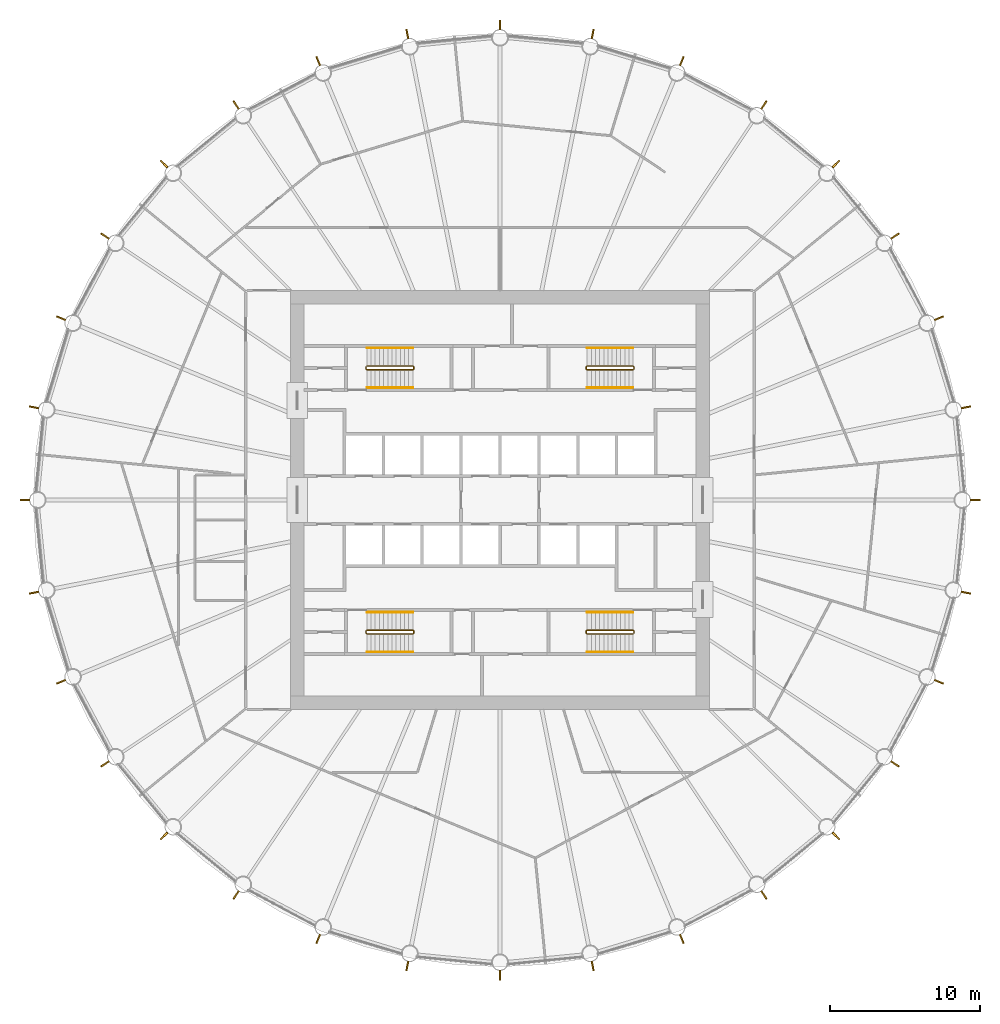
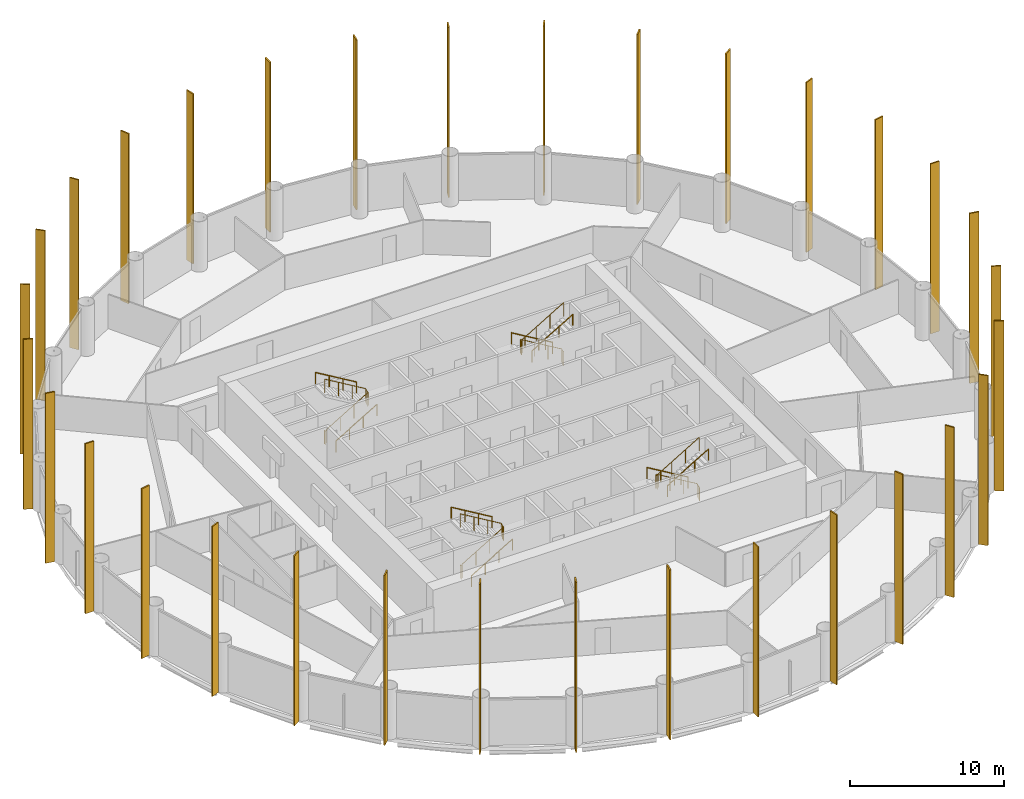
# One storey, part 9 of 9: 32 shading devices, 12 railings.
"""IFC4 building model written with IfcOpenShell, lengths in metres."""

from ifc_helpers import new_model, si_unit, direction, frame, origin, origin_2d, place, context, subcontext, project, spatial, rectangle, circle, extrude, material, material_profile, profile_set, type_object, element, save


model = new_model("IFC4")

# Units and contexts
model_context = context("Model", 3, precision=1e-05, world=origin(), true_north=direction((0.0, 1.0)))
body_context = subcontext(model_context, "Body", "Model", "MODEL_VIEW")
ifc_project = project(units=[si_unit("LENGTHUNIT", "METRE"), si_unit("AREAUNIT", "SQUARE_METRE"), si_unit("VOLUMEUNIT", "CUBIC_METRE"), si_unit("PLANEANGLEUNIT", "RADIAN"), si_unit("MASSUNIT", "GRAM", prefix="KILO")], contexts=[model_context])

# Site, building, storey
site_placement = place(None, origin())
site = spatial("IfcSite", under=ifc_project, at=site_placement, CompositionType="ELEMENT")
building_placement = place(site_placement, origin())
building = spatial("IfcBuilding", under=site, at=building_placement, Name="Corvane Civic Tower", CompositionType="ELEMENT")
storey_placement = place(building_placement, frame((0.0, 0.0, 188.0)))
storey = spatial("IfcBuildingStorey", under=building, at=storey_placement, Name="L44", CompositionType="ELEMENT", Elevation=188.0)

# Railings
ifc_material_1 = material(Name="Steel ASTM A572 Gr 50", Category="steel")
railing_type_1 = type_object("IfcRailingType", Name="ST-GUARD-1100", PredefinedType="GUARDRAIL", material=ifc_material_1)
railing_1_placement = place(storey_placement, frame((8.949951171875, 8.75, 0.0)))
element("IfcRailing", 1, at=railing_1_placement, inside=storey, type_object=railing_type_1, Name="L44 ST1 stair guard 1", PredefinedType="GUARDRAIL", context=body_context, shape_type="SweptSolid", body=[
    extrude(circle(Radius=0.02392578125, at=origin_2d()), frame((0.0, 0.0, 1.076171875), z_axis=(0.0, 1.0, 0.0), x_axis=(-1.0, 0.0, 0.0)), (0.0, 0.0, 1.0), 0.14990234375),
    extrude(circle(Radius=0.02392578125, at=origin_2d()), frame((0.0, 0.14990234375, 1.076171875), z_axis=(-0.27628659633, 0.27628659633, 0.920506074601), x_axis=(-0.707106781187, -0.707106781187, 0.0)), (0.0, 0.0, 1.0), 0.18115234375),
    extrude(circle(Radius=0.02392578125, at=origin_2d()), frame((-0.050048828125, 0.199951171875, 1.24267578125), z_axis=(-0.859290745958, 0.0, 0.51148745235), x_axis=(0.0, -1.0, 0.0)), (0.0, 0.0, 1.0), 3.584228515625),
    extrude(circle(Radius=0.02392578125, at=origin_2d()), frame((-3.1298828125, 0.199951171875, 3.076171875), z_axis=(-0.707106781187, -0.707106781187, 0.0), x_axis=(0.707106781187, -0.707106781187, 0.0)), (0.0, 0.0, 1.0), 0.07080078125),
    extrude(circle(Radius=0.02392578125, at=origin_2d()), frame((-3.179931640625, 0.14990234375, 3.076171875), z_axis=(0.0, -1.0, 0.0), x_axis=(1.0, 0.0, 0.0)), (0.0, 0.0, 1.0), 0.14990234375),
    extrude(circle(Radius=0.02392578125, at=origin_2d()), frame((-3.179931640625, 0.0, 3.076171875), z_axis=(0.27628659633, -0.27628659633, 0.920506074601), x_axis=(0.707106781187, 0.707106781187, 0.0)), (0.0, 0.0, 1.0), 0.18115234375),
    extrude(circle(Radius=0.02392578125, at=origin_2d()), frame((-3.1298828125, -0.050048828125, 3.24267578125), z_axis=(0.859290745958, 0.0, 0.51148745235), x_axis=(0.0, 1.0, 0.0)), (0.0, 0.0, 1.0), 3.584228515625),
    extrude(circle(Radius=0.02099609375, at=origin_2d()), origin(), (0.0, 0.0, 1.0), 1.052001953125),
    extrude(circle(Radius=0.02099609375, at=origin_2d()), frame((0.0, 0.14990234375, 0.0)), (0.0, 0.0, 1.0), 1.052001953125),
    extrude(circle(Radius=0.02099609375, at=origin_2d()), frame((-0.050048828125, 0.199951171875, 0.166748046875)), (0.0, 0.0, 1.0), 1.052001953125),
    extrude(circle(Radius=0.02099609375, at=origin_2d()), frame((-1.07666015625, 0.199951171875, 0.77783203125)), (0.0, 0.0, 1.0), 1.052001953125),
    extrude(circle(Radius=0.02099609375, at=origin_2d()), frame((-2.103271484375, 0.199951171875, 1.388916015625)), (0.0, 0.0, 1.0), 1.052001953125),
    extrude(circle(Radius=0.02099609375, at=origin_2d()), frame((-3.1298828125, 0.199951171875, 2.0)), (0.0, 0.0, 1.0), 1.052001953125),
    extrude(circle(Radius=0.02099609375, at=origin_2d()), frame((-3.179931640625, 0.14990234375, 2.0)), (0.0, 0.0, 1.0), 1.052001953125),
    extrude(circle(Radius=0.02099609375, at=origin_2d()), frame((-3.179931640625, 0.0, 2.0)), (0.0, 0.0, 1.0), 1.052001953125),
    extrude(circle(Radius=0.02099609375, at=origin_2d()), frame((-3.1298828125, -0.050048828125, 2.166748046875)), (0.0, 0.0, 1.0), 1.052001953125),
    extrude(circle(Radius=0.02099609375, at=origin_2d()), frame((-2.103271484375, -0.050048828125, 2.77783203125)), (0.0, 0.0, 1.0), 1.052001953125),
    extrude(circle(Radius=0.02099609375, at=origin_2d()), frame((-1.07666015625, -0.050048828125, 3.388916015625)), (0.0, 0.0, 1.0), 1.052001953125),
    extrude(circle(Radius=0.02099609375, at=origin_2d()), frame((-0.050048828125, -0.050048828125, 4.0)), (0.0, 0.0, 1.0), 1.052001953125),
])
railing_2_placement = place(storey_placement, frame((8.949951171875, -8.89990234375, 0.0)))
element("IfcRailing", 2, at=railing_2_placement, inside=storey, type_object=railing_type_1, Name="L44 ST2 stair guard 1", PredefinedType="GUARDRAIL", context=body_context, shape_type="SweptSolid", body=[
    extrude(circle(Radius=0.02392578125, at=origin_2d()), frame((0.0, 0.0, 1.076171875), z_axis=(0.0, 1.0, 0.0), x_axis=(-1.0, 0.0, 0.0)), (0.0, 0.0, 1.0), 0.14990234375),
    extrude(circle(Radius=0.02392578125, at=origin_2d()), frame((0.0, 0.14990234375, 1.076171875), z_axis=(-0.27628659633, 0.27628659633, 0.920506074601), x_axis=(-0.707106781187, -0.707106781187, 0.0)), (0.0, 0.0, 1.0), 0.18115234375),
    extrude(circle(Radius=0.02392578125, at=origin_2d()), frame((-0.050048828125, 0.199951171875, 1.24267578125), z_axis=(-0.859290745958, 0.0, 0.51148745235), x_axis=(0.0, -1.0, 0.0)), (0.0, 0.0, 1.0), 3.584228515625),
    extrude(circle(Radius=0.02392578125, at=origin_2d()), frame((-3.1298828125, 0.199951171875, 3.076171875), z_axis=(-0.707106781187, -0.707106781187, 0.0), x_axis=(0.707106781187, -0.707106781187, 0.0)), (0.0, 0.0, 1.0), 0.07080078125),
    extrude(circle(Radius=0.02392578125, at=origin_2d()), frame((-3.179931640625, 0.14990234375, 3.076171875), z_axis=(0.0, -1.0, 0.0), x_axis=(1.0, 0.0, 0.0)), (0.0, 0.0, 1.0), 0.14990234375),
    extrude(circle(Radius=0.02392578125, at=origin_2d()), frame((-3.179931640625, 0.0, 3.076171875), z_axis=(0.27628659633, -0.27628659633, 0.920506074601), x_axis=(0.707106781187, 0.707106781187, 0.0)), (0.0, 0.0, 1.0), 0.18115234375),
    extrude(circle(Radius=0.02392578125, at=origin_2d()), frame((-3.1298828125, -0.050048828125, 3.24267578125), z_axis=(0.859290745958, 0.0, 0.51148745235), x_axis=(0.0, 1.0, 0.0)), (0.0, 0.0, 1.0), 3.584228515625),
    extrude(circle(Radius=0.02099609375, at=origin_2d()), origin(), (0.0, 0.0, 1.0), 1.052001953125),
    extrude(circle(Radius=0.02099609375, at=origin_2d()), frame((0.0, 0.14990234375, 0.0)), (0.0, 0.0, 1.0), 1.052001953125),
    extrude(circle(Radius=0.02099609375, at=origin_2d()), frame((-0.050048828125, 0.199951171875, 0.166748046875)), (0.0, 0.0, 1.0), 1.052001953125),
    extrude(circle(Radius=0.02099609375, at=origin_2d()), frame((-1.07666015625, 0.199951171875, 0.77783203125)), (0.0, 0.0, 1.0), 1.052001953125),
    extrude(circle(Radius=0.02099609375, at=origin_2d()), frame((-2.103271484375, 0.199951171875, 1.388916015625)), (0.0, 0.0, 1.0), 1.052001953125),
    extrude(circle(Radius=0.02099609375, at=origin_2d()), frame((-3.1298828125, 0.199951171875, 2.0)), (0.0, 0.0, 1.0), 1.052001953125),
    extrude(circle(Radius=0.02099609375, at=origin_2d()), frame((-3.179931640625, 0.14990234375, 2.0)), (0.0, 0.0, 1.0), 1.052001953125),
    extrude(circle(Radius=0.02099609375, at=origin_2d()), frame((-3.179931640625, 0.0, 2.0)), (0.0, 0.0, 1.0), 1.052001953125),
    extrude(circle(Radius=0.02099609375, at=origin_2d()), frame((-3.1298828125, -0.050048828125, 2.166748046875)), (0.0, 0.0, 1.0), 1.052001953125),
    extrude(circle(Radius=0.02099609375, at=origin_2d()), frame((-2.103271484375, -0.050048828125, 2.77783203125)), (0.0, 0.0, 1.0), 1.052001953125),
    extrude(circle(Radius=0.02099609375, at=origin_2d()), frame((-1.07666015625, -0.050048828125, 3.388916015625)), (0.0, 0.0, 1.0), 1.052001953125),
    extrude(circle(Radius=0.02099609375, at=origin_2d()), frame((-0.050048828125, -0.050048828125, 4.0)), (0.0, 0.0, 1.0), 1.052001953125),
])
railing_3_placement = place(storey_placement, frame((-8.949951171875, -8.75, 0.0)))
element("IfcRailing", 3, at=railing_3_placement, inside=storey, type_object=railing_type_1, Name="L44 ST3 stair guard 1", PredefinedType="GUARDRAIL", context=body_context, shape_type="SweptSolid", body=[
    extrude(circle(Radius=0.02392578125, at=origin_2d()), frame((0.0, 0.0, 1.076171875), z_axis=(0.0, -1.0, 0.0), x_axis=(1.0, 0.0, 0.0)), (0.0, 0.0, 1.0), 0.14990234375),
    extrude(circle(Radius=0.02392578125, at=origin_2d()), frame((0.0, -0.14990234375, 1.076171875), z_axis=(0.27628659633, -0.27628659633, 0.920506074601), x_axis=(0.707106781187, 0.707106781187, 0.0)), (0.0, 0.0, 1.0), 0.18115234375),
    extrude(circle(Radius=0.02392578125, at=origin_2d()), frame((0.050048828125, -0.199951171875, 1.24267578125), z_axis=(0.859290745958, 0.0, 0.51148745235), x_axis=(0.0, 1.0, 0.0)), (0.0, 0.0, 1.0), 3.584228515625),
    extrude(circle(Radius=0.02392578125, at=origin_2d()), frame((3.1298828125, -0.199951171875, 3.076171875), z_axis=(0.707106781187, 0.707106781187, 0.0), x_axis=(-0.707106781187, 0.707106781187, 0.0)), (0.0, 0.0, 1.0), 0.07080078125),
    extrude(circle(Radius=0.02392578125, at=origin_2d()), frame((3.179931640625, -0.14990234375, 3.076171875), z_axis=(0.0, 1.0, 0.0), x_axis=(-1.0, 0.0, 0.0)), (0.0, 0.0, 1.0), 0.14990234375),
    extrude(circle(Radius=0.02392578125, at=origin_2d()), frame((3.179931640625, 0.0, 3.076171875), z_axis=(-0.27628659633, 0.27628659633, 0.920506074601), x_axis=(-0.707106781187, -0.707106781187, 0.0)), (0.0, 0.0, 1.0), 0.18115234375),
    extrude(circle(Radius=0.02392578125, at=origin_2d()), frame((3.1298828125, 0.050048828125, 3.24267578125), z_axis=(-0.859290745958, 0.0, 0.51148745235), x_axis=(0.0, -1.0, 0.0)), (0.0, 0.0, 1.0), 3.584228515625),
    extrude(circle(Radius=0.02099609375, at=origin_2d()), origin(), (0.0, 0.0, 1.0), 1.052001953125),
    extrude(circle(Radius=0.02099609375, at=origin_2d()), frame((0.0, -0.14990234375, 0.0)), (0.0, 0.0, 1.0), 1.052001953125),
    extrude(circle(Radius=0.02099609375, at=origin_2d()), frame((0.050048828125, -0.199951171875, 0.166748046875)), (0.0, 0.0, 1.0), 1.052001953125),
    extrude(circle(Radius=0.02099609375, at=origin_2d()), frame((1.07666015625, -0.199951171875, 0.77783203125)), (0.0, 0.0, 1.0), 1.052001953125),
    extrude(circle(Radius=0.02099609375, at=origin_2d()), frame((2.103271484375, -0.199951171875, 1.388916015625)), (0.0, 0.0, 1.0), 1.052001953125),
    extrude(circle(Radius=0.02099609375, at=origin_2d()), frame((3.1298828125, -0.199951171875, 2.0)), (0.0, 0.0, 1.0), 1.052001953125),
    extrude(circle(Radius=0.02099609375, at=origin_2d()), frame((3.179931640625, -0.14990234375, 2.0)), (0.0, 0.0, 1.0), 1.052001953125),
    extrude(circle(Radius=0.02099609375, at=origin_2d()), frame((3.179931640625, 0.0, 2.0)), (0.0, 0.0, 1.0), 1.052001953125),
    extrude(circle(Radius=0.02099609375, at=origin_2d()), frame((3.1298828125, 0.050048828125, 2.166748046875)), (0.0, 0.0, 1.0), 1.052001953125),
    extrude(circle(Radius=0.02099609375, at=origin_2d()), frame((2.103271484375, 0.050048828125, 2.77783203125)), (0.0, 0.0, 1.0), 1.052001953125),
    extrude(circle(Radius=0.02099609375, at=origin_2d()), frame((1.07666015625, 0.050048828125, 3.388916015625)), (0.0, 0.0, 1.0), 1.052001953125),
    extrude(circle(Radius=0.02099609375, at=origin_2d()), frame((0.050048828125, 0.050048828125, 4.0)), (0.0, 0.0, 1.0), 1.052001953125),
])
railing_4_placement = place(storey_placement, frame((-8.949951171875, 8.89990234375, 0.0)))
element("IfcRailing", 4, at=railing_4_placement, inside=storey, type_object=railing_type_1, Name="L44 ST4 stair guard 1", PredefinedType="GUARDRAIL", context=body_context, shape_type="SweptSolid", body=[
    extrude(circle(Radius=0.02392578125, at=origin_2d()), frame((0.0, 0.0, 1.076171875), z_axis=(0.0, -1.0, 0.0), x_axis=(1.0, 0.0, 0.0)), (0.0, 0.0, 1.0), 0.14990234375),
    extrude(circle(Radius=0.02392578125, at=origin_2d()), frame((0.0, -0.14990234375, 1.076171875), z_axis=(0.27628659633, -0.27628659633, 0.920506074601), x_axis=(0.707106781187, 0.707106781187, 0.0)), (0.0, 0.0, 1.0), 0.18115234375),
    extrude(circle(Radius=0.02392578125, at=origin_2d()), frame((0.050048828125, -0.199951171875, 1.24267578125), z_axis=(0.859290745958, 0.0, 0.51148745235), x_axis=(0.0, 1.0, 0.0)), (0.0, 0.0, 1.0), 3.584228515625),
    extrude(circle(Radius=0.02392578125, at=origin_2d()), frame((3.1298828125, -0.199951171875, 3.076171875), z_axis=(0.707106781187, 0.707106781187, 0.0), x_axis=(-0.707106781187, 0.707106781187, 0.0)), (0.0, 0.0, 1.0), 0.07080078125),
    extrude(circle(Radius=0.02392578125, at=origin_2d()), frame((3.179931640625, -0.14990234375, 3.076171875), z_axis=(0.0, 1.0, 0.0), x_axis=(-1.0, 0.0, 0.0)), (0.0, 0.0, 1.0), 0.14990234375),
    extrude(circle(Radius=0.02392578125, at=origin_2d()), frame((3.179931640625, 0.0, 3.076171875), z_axis=(-0.27628659633, 0.27628659633, 0.920506074601), x_axis=(-0.707106781187, -0.707106781187, 0.0)), (0.0, 0.0, 1.0), 0.18115234375),
    extrude(circle(Radius=0.02392578125, at=origin_2d()), frame((3.1298828125, 0.050048828125, 3.24267578125), z_axis=(-0.859290745958, 0.0, 0.51148745235), x_axis=(0.0, -1.0, 0.0)), (0.0, 0.0, 1.0), 3.584228515625),
    extrude(circle(Radius=0.02099609375, at=origin_2d()), origin(), (0.0, 0.0, 1.0), 1.052001953125),
    extrude(circle(Radius=0.02099609375, at=origin_2d()), frame((0.0, -0.14990234375, 0.0)), (0.0, 0.0, 1.0), 1.052001953125),
    extrude(circle(Radius=0.02099609375, at=origin_2d()), frame((0.050048828125, -0.199951171875, 0.166748046875)), (0.0, 0.0, 1.0), 1.052001953125),
    extrude(circle(Radius=0.02099609375, at=origin_2d()), frame((1.07666015625, -0.199951171875, 0.77783203125)), (0.0, 0.0, 1.0), 1.052001953125),
    extrude(circle(Radius=0.02099609375, at=origin_2d()), frame((2.103271484375, -0.199951171875, 1.388916015625)), (0.0, 0.0, 1.0), 1.052001953125),
    extrude(circle(Radius=0.02099609375, at=origin_2d()), frame((3.1298828125, -0.199951171875, 2.0)), (0.0, 0.0, 1.0), 1.052001953125),
    extrude(circle(Radius=0.02099609375, at=origin_2d()), frame((3.179931640625, -0.14990234375, 2.0)), (0.0, 0.0, 1.0), 1.052001953125),
    extrude(circle(Radius=0.02099609375, at=origin_2d()), frame((3.179931640625, 0.0, 2.0)), (0.0, 0.0, 1.0), 1.052001953125),
    extrude(circle(Radius=0.02099609375, at=origin_2d()), frame((3.1298828125, 0.050048828125, 2.166748046875)), (0.0, 0.0, 1.0), 1.052001953125),
    extrude(circle(Radius=0.02099609375, at=origin_2d()), frame((2.103271484375, 0.050048828125, 2.77783203125)), (0.0, 0.0, 1.0), 1.052001953125),
    extrude(circle(Radius=0.02099609375, at=origin_2d()), frame((1.07666015625, 0.050048828125, 3.388916015625)), (0.0, 0.0, 1.0), 1.052001953125),
    extrude(circle(Radius=0.02099609375, at=origin_2d()), frame((0.050048828125, 0.050048828125, 4.0)), (0.0, 0.0, 1.0), 1.052001953125),
])
ifc_material_2 = material(Name="Steel ASTM A572 Gr 50", Category="steel")
railing_type_2 = type_object("IfcRailingType", Name="ST-HANDRAIL-900", PredefinedType="HANDRAIL", material=ifc_material_2)
railing_5_placement = place(storey_placement, frame((8.89990234375, 10.14990234375, 0.166748046875)))
element("IfcRailing", 5, at=railing_5_placement, inside=storey, type_object=railing_type_2, Name="L44 ST1 stair handrail 1", PredefinedType="HANDRAIL", context=body_context, shape_type="SweptSolid", body=[
    extrude(circle(Radius=0.02392578125, at=origin_2d()), frame((0.0, 0.0, 0.8759765625), z_axis=(-0.859290745958, 0.0, 0.51148745235), x_axis=(0.0, -1.0, 0.0)), (0.0, 0.0, 1.0), 3.584228515625),
    extrude(circle(Radius=0.02099609375, at=origin_2d()), origin(), (0.0, 0.0, 1.0), 0.851806640625),
    extrude(circle(Radius=0.02099609375, at=origin_2d()), frame((-1.026611328125, 0.0, 0.611083984375)), (0.0, 0.0, 1.0), 0.851806640625),
    extrude(circle(Radius=0.02099609375, at=origin_2d()), frame((-2.05322265625, 0.0, 1.22216796875)), (0.0, 0.0, 1.0), 0.851806640625),
    extrude(circle(Radius=0.02099609375, at=origin_2d()), frame((-3.079833984375, 0.0, 1.833251953125)), (0.0, 0.0, 1.0), 0.851806640625),
])
railing_6_placement = place(storey_placement, frame((5.820068359375, 7.5, 2.166748046875)))
element("IfcRailing", 6, at=railing_6_placement, inside=storey, type_object=railing_type_2, Name="L44 ST1 stair handrail 2", PredefinedType="HANDRAIL", context=body_context, shape_type="SweptSolid", body=[
    extrude(circle(Radius=0.02392578125, at=origin_2d()), frame((0.0, 0.0, 0.8759765625), z_axis=(0.859290745958, 0.0, 0.51148745235), x_axis=(0.0, 1.0, 0.0)), (0.0, 0.0, 1.0), 3.584228515625),
    extrude(circle(Radius=0.02099609375, at=origin_2d()), origin(), (0.0, 0.0, 1.0), 0.851806640625),
    extrude(circle(Radius=0.02099609375, at=origin_2d()), frame((1.026611328125, 0.0, 0.611083984375)), (0.0, 0.0, 1.0), 0.851806640625),
    extrude(circle(Radius=0.02099609375, at=origin_2d()), frame((2.05322265625, 0.0, 1.22216796875)), (0.0, 0.0, 1.0), 0.851806640625),
    extrude(circle(Radius=0.02099609375, at=origin_2d()), frame((3.079833984375, 0.0, 1.833251953125)), (0.0, 0.0, 1.0), 0.851806640625),
])
railing_7_placement = place(storey_placement, frame((8.89990234375, -7.5, 0.166748046875)))
element("IfcRailing", 7, at=railing_7_placement, inside=storey, type_object=railing_type_2, Name="L44 ST2 stair handrail 1", PredefinedType="HANDRAIL", context=body_context, shape_type="SweptSolid", body=[
    extrude(circle(Radius=0.02392578125, at=origin_2d()), frame((0.0, 0.0, 0.8759765625), z_axis=(-0.859290745958, 0.0, 0.51148745235), x_axis=(0.0, -1.0, 0.0)), (0.0, 0.0, 1.0), 3.584228515625),
    extrude(circle(Radius=0.02099609375, at=origin_2d()), origin(), (0.0, 0.0, 1.0), 0.851806640625),
    extrude(circle(Radius=0.02099609375, at=origin_2d()), frame((-1.026611328125, 0.0, 0.611083984375)), (0.0, 0.0, 1.0), 0.851806640625),
    extrude(circle(Radius=0.02099609375, at=origin_2d()), frame((-2.05322265625, 0.0, 1.22216796875)), (0.0, 0.0, 1.0), 0.851806640625),
    extrude(circle(Radius=0.02099609375, at=origin_2d()), frame((-3.079833984375, 0.0, 1.833251953125)), (0.0, 0.0, 1.0), 0.851806640625),
])
for number, where, name in (
    (8, (5.820068359375, -10.14990234375, 2.166748046875), "L44 ST2 stair handrail 2"),
    (9, (-8.89990234375, -10.14990234375, 0.166748046875), "L44 ST3 stair handrail 1"),
):
    element("IfcRailing", number, at=place(storey_placement, frame(where)), inside=storey, type_object=railing_type_2, Name=name, PredefinedType="HANDRAIL", context=body_context, shape_type="SweptSolid", body=[
        extrude(circle(Radius=0.02392578125, at=origin_2d()), frame((0.0, 0.0, 0.8759765625), z_axis=(0.859290745958, 0.0, 0.51148745235), x_axis=(0.0, 1.0, 0.0)), (0.0, 0.0, 1.0), 3.584228515625),
        extrude(circle(Radius=0.02099609375, at=origin_2d()), origin(), (0.0, 0.0, 1.0), 0.851806640625),
        extrude(circle(Radius=0.02099609375, at=origin_2d()), frame((1.026611328125, 0.0, 0.611083984375)), (0.0, 0.0, 1.0), 0.851806640625),
        extrude(circle(Radius=0.02099609375, at=origin_2d()), frame((2.05322265625, 0.0, 1.22216796875)), (0.0, 0.0, 1.0), 0.851806640625),
        extrude(circle(Radius=0.02099609375, at=origin_2d()), frame((3.079833984375, 0.0, 1.833251953125)), (0.0, 0.0, 1.0), 0.851806640625),
    ])
railing_8_placement = place(storey_placement, frame((-5.820068359375, -7.5, 2.166748046875)))
element("IfcRailing", 10, at=railing_8_placement, inside=storey, type_object=railing_type_2, Name="L44 ST3 stair handrail 2", PredefinedType="HANDRAIL", context=body_context, shape_type="SweptSolid", body=[
    extrude(circle(Radius=0.02392578125, at=origin_2d()), frame((0.0, 0.0, 0.8759765625), z_axis=(-0.859290745958, 0.0, 0.51148745235), x_axis=(0.0, -1.0, 0.0)), (0.0, 0.0, 1.0), 3.584228515625),
    extrude(circle(Radius=0.02099609375, at=origin_2d()), origin(), (0.0, 0.0, 1.0), 0.851806640625),
    extrude(circle(Radius=0.02099609375, at=origin_2d()), frame((-1.026611328125, 0.0, 0.611083984375)), (0.0, 0.0, 1.0), 0.851806640625),
    extrude(circle(Radius=0.02099609375, at=origin_2d()), frame((-2.05322265625, 0.0, 1.22216796875)), (0.0, 0.0, 1.0), 0.851806640625),
    extrude(circle(Radius=0.02099609375, at=origin_2d()), frame((-3.079833984375, 0.0, 1.833251953125)), (0.0, 0.0, 1.0), 0.851806640625),
])
railing_9_placement = place(storey_placement, frame((-8.89990234375, 7.5, 0.166748046875)))
element("IfcRailing", 11, at=railing_9_placement, inside=storey, type_object=railing_type_2, Name="L44 ST4 stair handrail 1", PredefinedType="HANDRAIL", context=body_context, shape_type="SweptSolid", body=[
    extrude(circle(Radius=0.02392578125, at=origin_2d()), frame((0.0, 0.0, 0.8759765625), z_axis=(0.859290745958, 0.0, 0.51148745235), x_axis=(0.0, 1.0, 0.0)), (0.0, 0.0, 1.0), 3.584228515625),
    extrude(circle(Radius=0.02099609375, at=origin_2d()), origin(), (0.0, 0.0, 1.0), 0.851806640625),
    extrude(circle(Radius=0.02099609375, at=origin_2d()), frame((1.026611328125, 0.0, 0.611083984375)), (0.0, 0.0, 1.0), 0.851806640625),
    extrude(circle(Radius=0.02099609375, at=origin_2d()), frame((2.05322265625, 0.0, 1.22216796875)), (0.0, 0.0, 1.0), 0.851806640625),
    extrude(circle(Radius=0.02099609375, at=origin_2d()), frame((3.079833984375, 0.0, 1.833251953125)), (0.0, 0.0, 1.0), 0.851806640625),
])
railing_10_placement = place(storey_placement, frame((-5.820068359375, 10.14990234375, 2.166748046875)))
element("IfcRailing", 12, at=railing_10_placement, inside=storey, type_object=railing_type_2, Name="L44 ST4 stair handrail 2", PredefinedType="HANDRAIL", context=body_context, shape_type="SweptSolid", body=[
    extrude(circle(Radius=0.02392578125, at=origin_2d()), frame((0.0, 0.0, 0.8759765625), z_axis=(-0.859290745958, 0.0, 0.51148745235), x_axis=(0.0, -1.0, 0.0)), (0.0, 0.0, 1.0), 3.584228515625),
    extrude(circle(Radius=0.02099609375, at=origin_2d()), origin(), (0.0, 0.0, 1.0), 0.851806640625),
    extrude(circle(Radius=0.02099609375, at=origin_2d()), frame((-1.026611328125, 0.0, 0.611083984375)), (0.0, 0.0, 1.0), 0.851806640625),
    extrude(circle(Radius=0.02099609375, at=origin_2d()), frame((-2.05322265625, 0.0, 1.22216796875)), (0.0, 0.0, 1.0), 0.851806640625),
    extrude(circle(Radius=0.02099609375, at=origin_2d()), frame((-3.079833984375, 0.0, 1.833251953125)), (0.0, 0.0, 1.0), 0.851806640625),
])

# Shading devices
ifc_material_3 = material(Name="Anodised aluminium bronze", Category="aluminium")
ifc_material_profile = material_profile(ifc_material_3, rectangle(XDim=0.10009765625, YDim=0.64990234375, at=origin_2d()), Name="TOWER FIN STACK 100x650 BRONZE")
ifc_profile_set = profile_set([ifc_material_profile], Name="Anodised aluminium bronze")
shading_device_type = type_object("IfcShadingDeviceType", Name="TOWER FIN STACK 100x650 BRONZE", PredefinedType="USERDEFINED", material=ifc_profile_set)
for number, where, z_axis, x_axis, name in (
    (13, (0.0, 31.7548828125, 0.0), (0.0, 0.0, 1.0), (1.0, 0.0, 0.0), "Fin 01 L44 to L46"),
    (14, (6.195068359375, 31.144775390625, 0.0), (0.0, 0.0, 1.0), (0.980785280403, -0.195090322016, 0.0), "Fin 02 L44 to L46"),
    (15, (12.152099609375, 29.337890625, 0.0), (0.0, 0.0, 1.0), (0.923879532511, -0.382683432365, 0.0), "Fin 03 L44 to L46"),
    (16, (17.64208984375, 26.4033203125, 0.0), (0.0, 0.0, 1.0), (0.831469612303, -0.55557023302, 0.0), "Fin 04 L44 to L46"),
    (17, (22.4541015625, 22.4541015625, 0.0), (0.0, 0.0, 1.0), (0.707106781187, -0.707106781187, 0.0), "Fin 05 L44 to L46"),
    (18, (26.4033203125, 17.64208984375, 0.0), (0.0, 0.0, 1.0), (0.55557023302, -0.831469612303, 0.0), "Fin 06 L44 to L46"),
    (19, (29.337890625, 12.152099609375, 0.0), (0.0, 0.0, 1.0), (0.382683432365, -0.923879532511, 0.0), "Fin 07 L44 to L46"),
    (20, (31.144775390625, 6.195068359375, 0.0), (0.0, 0.0, 1.0), (0.195090322016, -0.980785280403, 0.0), "Fin 08 L44 to L46"),
    (21, (31.7548828125, 0.0, 0.0), (0.0, 0.0, 1.0), (0.0, -1.0, 0.0), "Fin 09 L44 to L46"),
    (22, (31.144775390625, -6.195068359375, 0.0), (0.0, 0.0, 1.0), (-0.195090322016, -0.980785280403, 0.0), "Fin 10 L44 to L46"),
    (23, (29.337890625, -12.152099609375, 0.0), (0.0, 0.0, 1.0), (-0.382683432365, -0.923879532511, 0.0), "Fin 11 L44 to L46"),
    (24, (26.4033203125, -17.64208984375, 0.0), (0.0, 0.0, 1.0), (-0.55557023302, -0.831469612303, 0.0), "Fin 12 L44 to L46"),
    (25, (22.4541015625, -22.4541015625, 0.0), (0.0, 0.0, 1.0), (-0.707106781187, -0.707106781187, 0.0), "Fin 13 L44 to L46"),
    (26, (17.64208984375, -26.4033203125, 0.0), (0.0, 0.0, 1.0), (-0.831469612303, -0.55557023302, 0.0), "Fin 14 L44 to L46"),
    (27, (12.152099609375, -29.337890625, 0.0), (0.0, 0.0, 1.0), (-0.923879532511, -0.382683432365, 0.0), "Fin 15 L44 to L46"),
    (28, (6.195068359375, -31.144775390625, 0.0), (0.0, 0.0, 1.0), (-0.980785280403, -0.195090322016, 0.0), "Fin 16 L44 to L46"),
    (29, (0.0, -31.7548828125, 0.0), (0.0, 0.0, 1.0), (-1.0, 0.0, 0.0), "Fin 17 L44 to L46"),
    (30, (-6.195068359375, -31.144775390625, 0.0), (0.0, 0.0, 1.0), (-0.980785280403, 0.195090322016, 0.0), "Fin 18 L44 to L46"),
    (31, (-12.152099609375, -29.337890625, 0.0), (0.0, 0.0, 1.0), (-0.923879532511, 0.382683432365, 0.0), "Fin 19 L44 to L46"),
    (32, (-17.64208984375, -26.4033203125, 0.0), (0.0, 0.0, 1.0), (-0.831469612303, 0.55557023302, 0.0), "Fin 20 L44 to L46"),
    (33, (-22.4541015625, -22.4541015625, 0.0), (0.0, 0.0, 1.0), (-0.707106781187, 0.707106781187, 0.0), "Fin 21 L44 to L46"),
    (34, (-26.4033203125, -17.64208984375, 0.0), (0.0, 0.0, 1.0), (-0.55557023302, 0.831469612303, 0.0), "Fin 22 L44 to L46"),
    (35, (-29.337890625, -12.152099609375, 0.0), (0.0, 0.0, 1.0), (-0.382683432365, 0.923879532511, 0.0), "Fin 23 L44 to L46"),
    (36, (-31.144775390625, -6.195068359375, 0.0), (0.0, 0.0, 1.0), (-0.195090322016, 0.980785280403, 0.0), "Fin 24 L44 to L46"),
    (37, (-31.7548828125, 0.0, 0.0), (0.0, 0.0, 1.0), (0.0, 1.0, 0.0), "Fin 25 L44 to L46"),
    (38, (-31.144775390625, 6.195068359375, 0.0), (0.0, 0.0, 1.0), (0.195090322016, 0.980785280403, 0.0), "Fin 26 L44 to L46"),
    (39, (-29.337890625, 12.152099609375, 0.0), (0.0, 0.0, 1.0), (0.382683432365, 0.923879532511, 0.0), "Fin 27 L44 to L46"),
    (40, (-26.4033203125, 17.64208984375, 0.0), (0.0, 0.0, 1.0), (0.55557023302, 0.831469612303, 0.0), "Fin 28 L44 to L46"),
    (41, (-22.4541015625, 22.4541015625, 0.0), (0.0, 0.0, 1.0), (0.707106781187, 0.707106781187, 0.0), "Fin 29 L44 to L46"),
    (42, (-17.64208984375, 26.4033203125, 0.0), (0.0, 0.0, 1.0), (0.831469612303, 0.55557023302, 0.0), "Fin 30 L44 to L46"),
    (43, (-12.152099609375, 29.337890625, 0.0), (0.0, 0.0, 1.0), (0.923879532511, 0.382683432365, 0.0), "Fin 31 L44 to L46"),
    (44, (-6.195068359375, 31.144775390625, 0.0), (0.0, 0.0, 1.0), (0.980785280403, 0.195090322016, 0.0), "Fin 32 L44 to L46"),
):
    element("IfcShadingDevice", number, at=place(storey_placement, frame(where, z_axis=z_axis, x_axis=x_axis)), inside=storey, type_object=shading_device_type, Name=name, ObjectType="FIN", PredefinedType="USERDEFINED", context=body_context, shape_type="SweptSolid", body=[
        extrude(rectangle(XDim=0.10009765625, YDim=0.64990234375, at=origin_2d()), origin(), (0.0, 0.0, 1.0), 13.5),
    ])

save(model, "model.ifc")
